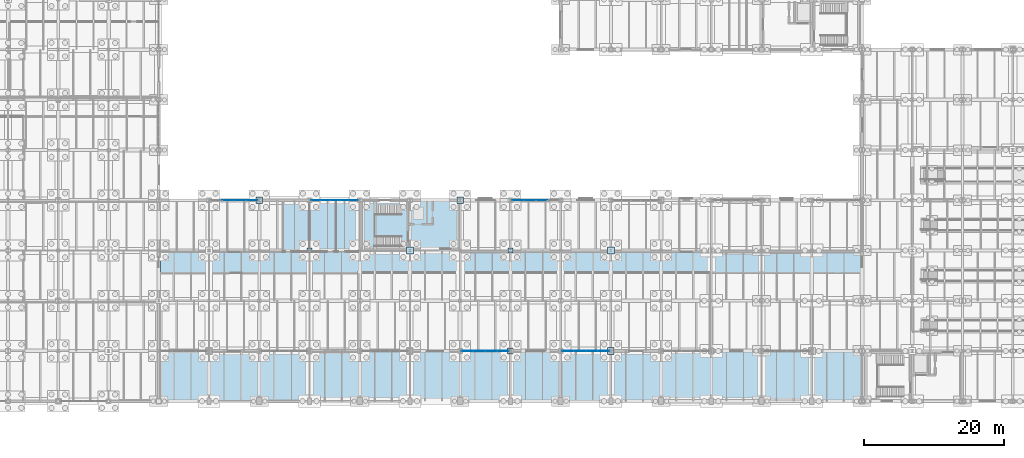
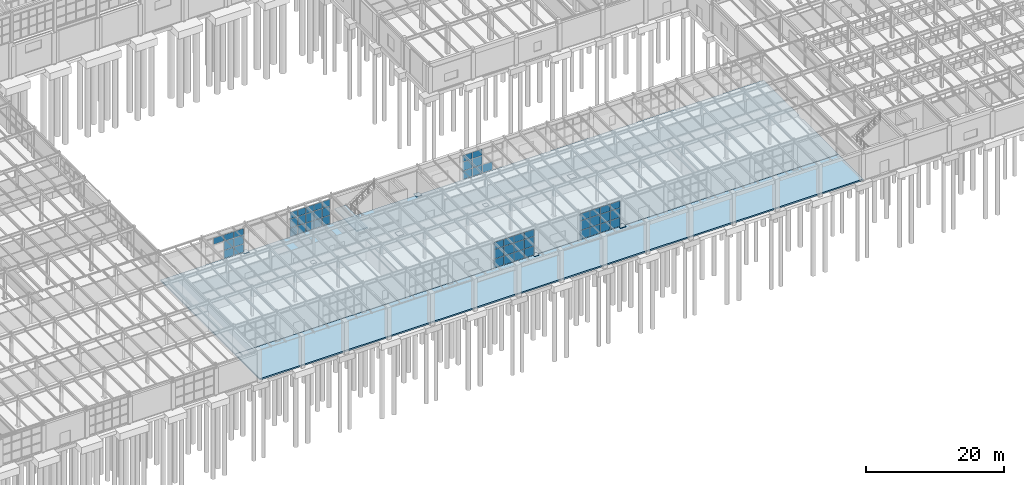
# One storey, part 235 of 293: 61 plates, 3 slabs, 6 elements without a shape of their own.
"""IFC4 building model written with IfcOpenShell, lengths in metres."""

from ifc_helpers import new_model, si_unit, direction, frame, origin, origin_2d, place, context, subcontext, project, spatial, polyline, rectangle, outline, extrude, material, layer, layer_set, type_object, element, aggregate, save


model = new_model("IFC4")

# Units and contexts
model_context = context("Model", 3, precision=1e-05, world=origin(), true_north=direction((0.0, 1.0)))
body_context = subcontext(model_context, "Body", "Model", "MODEL_VIEW")
ifc_project = project(units=[si_unit("LENGTHUNIT", "METRE"), si_unit("AREAUNIT", "SQUARE_METRE"), si_unit("VOLUMEUNIT", "CUBIC_METRE"), si_unit("PLANEANGLEUNIT", "RADIAN"), si_unit("MASSUNIT", "GRAM", prefix="KILO")], contexts=[model_context])

# Site, building, storey
site_placement = place(None, origin())
site = spatial("IfcSite", under=ifc_project, at=site_placement, CompositionType="ELEMENT")
building_placement = place(site_placement, origin())
building = spatial("IfcBuilding", under=site, at=building_placement, Name="Kemerveld Promenade Tramway Depot", CompositionType="ELEMENT")
storey_placement = place(building_placement, origin())
storey = spatial("IfcBuildingStorey", under=building, at=storey_placement, Name="L00", CompositionType="ELEMENT", Elevation=0.0)

# Curtain wall, plates
ifc_material_1 = material(Name="Bronze anodised aluminium and solar glass", Category="aluminium")
ifc_layer_1 = layer(ifc_material_1, 0.159912109375)
ifc_layer_set_1 = layer_set([ifc_layer_1], Name="CW-SYS-09")
curtain_wall_type_1 = type_object("IfcCurtainWallType", Name="CW-SYS-09", PredefinedType="USERDEFINED", material=ifc_layer_set_1)
curtain_wall_1_placement = place(storey_placement, origin())
curtain_wall_1 = element("IfcCurtainWall", 1, at=curtain_wall_1_placement, inside=storey, type_object=curtain_wall_type_1, Name="CW-L00-V4S-06", ObjectType="GLAZED_CURTAIN_WALL", PredefinedType="USERDEFINED")
ifc_material_2 = material(Name="Solar-control laminated double glazing", Category="glass")
ifc_layer_2 = layer(ifc_material_2, 0.028076171875)
ifc_layer_set_2 = layer_set([ifc_layer_2], Name="CW-PNL-01")
plate_type_1 = type_object("IfcPlateType", Name="CW-PNL-01", PredefinedType="CURTAIN_PANEL", material=ifc_layer_set_2)
plate_1_placement = place(storey_placement, frame((121.33642578125, 7.199951171875, 0.06005859375), z_axis=(0.0, 0.0, 1.0), x_axis=(-1.0, 0.0, 0.0)))
plate_1 = element("IfcPlate", 2, at=plate_1_placement, type_object=plate_type_1, Name="CW09 panel 1.1", PredefinedType="CURTAIN_PANEL", context=body_context, shape_type="SweptSolid", body=[
    extrude(rectangle(XDim=1.604248046875, YDim=0.028076171875, at=origin_2d()), origin(), (0.0, 0.0, 1.0), 1.52587890625),
])
plate_2_placement = place(storey_placement, frame((121.33642578125, 7.199951171875, 1.64599609375), z_axis=(0.0, 0.0, 1.0), x_axis=(-1.0, 0.0, 0.0)))
plate_2 = element("IfcPlate", 3, at=plate_2_placement, type_object=plate_type_1, Name="CW09 panel 1.2", PredefinedType="CURTAIN_PANEL", context=body_context, shape_type="SweptSolid", body=[
    extrude(rectangle(XDim=1.604248046875, YDim=0.028076171875, at=origin_2d()), origin(), (0.0, 0.0, 1.0), 1.64892578125),
])
plate_3_placement = place(storey_placement, frame((121.33642578125, 7.199951171875, 3.35498046875), z_axis=(0.0, 0.0, 1.0), x_axis=(-1.0, 0.0, 0.0)))
plate_3 = element("IfcPlate", 4, at=plate_3_placement, type_object=plate_type_1, Name="CW09 panel 1.3", PredefinedType="CURTAIN_PANEL", context=body_context, shape_type="SweptSolid", body=[
    extrude(rectangle(XDim=1.604248046875, YDim=0.028076171875, at=origin_2d()), origin(), (0.0, 0.0, 1.0), 1.203369140625),
])
plate_4_placement = place(storey_placement, frame((119.65087890625, 7.199951171875, 0.06005859375), z_axis=(0.0, 0.0, 1.0), x_axis=(-1.0, 0.0, 0.0)))
plate_4 = element("IfcPlate", 5, at=plate_4_placement, type_object=plate_type_1, Name="CW09 panel 2.1", PredefinedType="CURTAIN_PANEL", context=body_context, shape_type="SweptSolid", body=[
    extrude(rectangle(XDim=1.636962890625, YDim=0.028076171875, at=origin_2d()), origin(), (0.0, 0.0, 1.0), 1.52587890625),
])
plate_5_placement = place(storey_placement, frame((119.65087890625, 7.199951171875, 1.64599609375), z_axis=(0.0, 0.0, 1.0), x_axis=(-1.0, 0.0, 0.0)))
plate_5 = element("IfcPlate", 6, at=plate_5_placement, type_object=plate_type_1, Name="CW09 panel 2.2", PredefinedType="CURTAIN_PANEL", context=body_context, shape_type="SweptSolid", body=[
    extrude(rectangle(XDim=1.636962890625, YDim=0.028076171875, at=origin_2d()), origin(), (0.0, 0.0, 1.0), 1.64892578125),
])
plate_6_placement = place(storey_placement, frame((119.65087890625, 7.199951171875, 3.35498046875), z_axis=(0.0, 0.0, 1.0), x_axis=(-1.0, 0.0, 0.0)))
plate_6 = element("IfcPlate", 7, at=plate_6_placement, type_object=plate_type_1, Name="CW09 panel 2.3", PredefinedType="CURTAIN_PANEL", context=body_context, shape_type="SweptSolid", body=[
    extrude(rectangle(XDim=1.636962890625, YDim=0.028076171875, at=origin_2d()), origin(), (0.0, 0.0, 1.0), 1.203369140625),
])
plate_7_placement = place(storey_placement, frame((117.948974609375, 7.199951171875, 0.06005859375), z_axis=(0.0, 0.0, 1.0), x_axis=(-1.0, 0.0, 0.0)))
plate_7 = element("IfcPlate", 8, at=plate_7_placement, type_object=plate_type_1, Name="CW09 panel 3.1", PredefinedType="CURTAIN_PANEL", context=body_context, shape_type="SweptSolid", body=[
    extrude(rectangle(XDim=1.636962890625, YDim=0.028076171875, at=origin_2d()), origin(), (0.0, 0.0, 1.0), 1.52587890625),
])
plate_8_placement = place(storey_placement, frame((117.948974609375, 7.199951171875, 1.64599609375), z_axis=(0.0, 0.0, 1.0), x_axis=(-1.0, 0.0, 0.0)))
plate_8 = element("IfcPlate", 9, at=plate_8_placement, type_object=plate_type_1, Name="CW09 panel 3.2", PredefinedType="CURTAIN_PANEL", context=body_context, shape_type="SweptSolid", body=[
    extrude(rectangle(XDim=1.636962890625, YDim=0.028076171875, at=origin_2d()), origin(), (0.0, 0.0, 1.0), 1.64892578125),
])
plate_9_placement = place(storey_placement, frame((117.948974609375, 7.199951171875, 3.35498046875), z_axis=(0.0, 0.0, 1.0), x_axis=(-1.0, 0.0, 0.0)))
plate_9 = element("IfcPlate", 10, at=plate_9_placement, type_object=plate_type_1, Name="CW09 panel 3.3", PredefinedType="CURTAIN_PANEL", context=body_context, shape_type="SweptSolid", body=[
    extrude(rectangle(XDim=1.636962890625, YDim=0.028076171875, at=origin_2d()), origin(), (0.0, 0.0, 1.0), 1.203369140625),
])
plate_10_placement = place(storey_placement, frame((116.263427734375, 7.199951171875, 0.06005859375), z_axis=(0.0, 0.0, 1.0), x_axis=(-1.0, 0.0, 0.0)))
plate_10 = element("IfcPlate", 11, at=plate_10_placement, type_object=plate_type_1, Name="CW09 panel 4.1", PredefinedType="CURTAIN_PANEL", context=body_context, shape_type="SweptSolid", body=[
    extrude(rectangle(XDim=1.604248046875, YDim=0.028076171875, at=origin_2d()), origin(), (0.0, 0.0, 1.0), 1.52587890625),
])
plate_11_placement = place(storey_placement, frame((116.263427734375, 7.199951171875, 1.64599609375), z_axis=(0.0, 0.0, 1.0), x_axis=(-1.0, 0.0, 0.0)))
plate_11 = element("IfcPlate", 12, at=plate_11_placement, type_object=plate_type_1, Name="CW09 panel 4.2", PredefinedType="CURTAIN_PANEL", context=body_context, shape_type="SweptSolid", body=[
    extrude(rectangle(XDim=1.604248046875, YDim=0.028076171875, at=origin_2d()), origin(), (0.0, 0.0, 1.0), 1.64892578125),
])
plate_12_placement = place(storey_placement, frame((116.263427734375, 7.199951171875, 3.35498046875), z_axis=(0.0, 0.0, 1.0), x_axis=(-1.0, 0.0, 0.0)))
plate_12 = element("IfcPlate", 13, at=plate_12_placement, type_object=plate_type_1, Name="CW09 panel 4.3", PredefinedType="CURTAIN_PANEL", context=body_context, shape_type="SweptSolid", body=[
    extrude(rectangle(XDim=1.604248046875, YDim=0.028076171875, at=origin_2d()), origin(), (0.0, 0.0, 1.0), 1.203369140625),
])
aggregate(curtain_wall_1, [plate_1, plate_2, plate_3, plate_4, plate_5, plate_6, plate_7, plate_8, plate_9, plate_10, plate_11, plate_12])

ifc_layer_3 = layer(ifc_material_1, 0.159912109375)
ifc_layer_set_3 = layer_set([ifc_layer_3], Name="CW-SYS-11")
curtain_wall_type_2 = type_object("IfcCurtainWallType", Name="CW-SYS-11", PredefinedType="USERDEFINED", material=ifc_layer_set_3)
curtain_wall_2_placement = place(storey_placement, origin())
curtain_wall_2 = element("IfcCurtainWall", 14, at=curtain_wall_2_placement, inside=storey, type_object=curtain_wall_type_2, Name="CW-L00-V4S-08", ObjectType="GLAZED_CURTAIN_WALL", PredefinedType="USERDEFINED")
ifc_layer_4 = layer(ifc_material_2, 0.028076171875)
ifc_layer_set_4 = layer_set([ifc_layer_4], Name="CW-PNL-03")
plate_type_2 = type_object("IfcPlateType", Name="CW-PNL-03", PredefinedType="CURTAIN_PANEL", material=ifc_layer_set_4)
plate_13_placement = place(storey_placement, frame((106.9365234375, 7.199951171875, 0.06005859375), z_axis=(0.0, 0.0, 1.0), x_axis=(-1.0, 0.0, 0.0)))
plate_13 = element("IfcPlate", 15, at=plate_13_placement, type_object=plate_type_2, Name="CW11 panel 1.1", PredefinedType="CURTAIN_PANEL", context=body_context, shape_type="SweptSolid", body=[
    extrude(rectangle(XDim=1.604248046875, YDim=0.028076171875, at=origin_2d()), origin(), (0.0, 0.0, 1.0), 1.52587890625),
])
plate_14_placement = place(storey_placement, frame((106.9365234375, 7.199951171875, 1.64599609375), z_axis=(0.0, 0.0, 1.0), x_axis=(-1.0, 0.0, 0.0)))
plate_14 = element("IfcPlate", 16, at=plate_14_placement, type_object=plate_type_2, Name="CW11 panel 1.2", PredefinedType="CURTAIN_PANEL", context=body_context, shape_type="SweptSolid", body=[
    extrude(rectangle(XDim=1.604248046875, YDim=0.028076171875, at=origin_2d()), origin(), (0.0, 0.0, 1.0), 1.64892578125),
])
plate_15_placement = place(storey_placement, frame((106.9365234375, 7.199951171875, 3.35498046875), z_axis=(0.0, 0.0, 1.0), x_axis=(-1.0, 0.0, 0.0)))
plate_15 = element("IfcPlate", 17, at=plate_15_placement, type_object=plate_type_2, Name="CW11 panel 1.3", PredefinedType="CURTAIN_PANEL", context=body_context, shape_type="SweptSolid", body=[
    extrude(rectangle(XDim=1.604248046875, YDim=0.028076171875, at=origin_2d()), origin(), (0.0, 0.0, 1.0), 1.203369140625),
])
plate_16_placement = place(storey_placement, frame((105.2509765625, 7.199951171875, 0.06005859375), z_axis=(0.0, 0.0, 1.0), x_axis=(-1.0, 0.0, 0.0)))
plate_16 = element("IfcPlate", 18, at=plate_16_placement, type_object=plate_type_2, Name="CW11 panel 2.1", PredefinedType="CURTAIN_PANEL", context=body_context, shape_type="SweptSolid", body=[
    extrude(rectangle(XDim=1.636962890625, YDim=0.028076171875, at=origin_2d()), origin(), (0.0, 0.0, 1.0), 1.52587890625),
])
plate_17_placement = place(storey_placement, frame((105.2509765625, 7.199951171875, 1.64599609375), z_axis=(0.0, 0.0, 1.0), x_axis=(-1.0, 0.0, 0.0)))
plate_17 = element("IfcPlate", 19, at=plate_17_placement, type_object=plate_type_2, Name="CW11 panel 2.2", PredefinedType="CURTAIN_PANEL", context=body_context, shape_type="SweptSolid", body=[
    extrude(rectangle(XDim=1.636962890625, YDim=0.028076171875, at=origin_2d()), origin(), (0.0, 0.0, 1.0), 1.64892578125),
])
plate_18_placement = place(storey_placement, frame((105.2509765625, 7.199951171875, 3.35498046875), z_axis=(0.0, 0.0, 1.0), x_axis=(-1.0, 0.0, 0.0)))
plate_18 = element("IfcPlate", 20, at=plate_18_placement, type_object=plate_type_2, Name="CW11 panel 2.3", PredefinedType="CURTAIN_PANEL", context=body_context, shape_type="SweptSolid", body=[
    extrude(rectangle(XDim=1.636962890625, YDim=0.028076171875, at=origin_2d()), origin(), (0.0, 0.0, 1.0), 1.203369140625),
])
plate_19_placement = place(storey_placement, frame((103.549072265625, 7.199951171875, 0.06005859375), z_axis=(0.0, 0.0, 1.0), x_axis=(-1.0, 0.0, 0.0)))
plate_19 = element("IfcPlate", 21, at=plate_19_placement, type_object=plate_type_2, Name="CW11 panel 3.1", PredefinedType="CURTAIN_PANEL", context=body_context, shape_type="SweptSolid", body=[
    extrude(rectangle(XDim=1.636962890625, YDim=0.028076171875, at=origin_2d()), origin(), (0.0, 0.0, 1.0), 1.52587890625),
])
plate_20_placement = place(storey_placement, frame((103.549072265625, 7.199951171875, 1.64599609375), z_axis=(0.0, 0.0, 1.0), x_axis=(-1.0, 0.0, 0.0)))
plate_20 = element("IfcPlate", 22, at=plate_20_placement, type_object=plate_type_2, Name="CW11 panel 3.2", PredefinedType="CURTAIN_PANEL", context=body_context, shape_type="SweptSolid", body=[
    extrude(rectangle(XDim=1.636962890625, YDim=0.028076171875, at=origin_2d()), origin(), (0.0, 0.0, 1.0), 1.64892578125),
])
plate_21_placement = place(storey_placement, frame((103.549072265625, 7.199951171875, 3.35498046875), z_axis=(0.0, 0.0, 1.0), x_axis=(-1.0, 0.0, 0.0)))
plate_21 = element("IfcPlate", 23, at=plate_21_placement, type_object=plate_type_2, Name="CW11 panel 3.3", PredefinedType="CURTAIN_PANEL", context=body_context, shape_type="SweptSolid", body=[
    extrude(rectangle(XDim=1.636962890625, YDim=0.028076171875, at=origin_2d()), origin(), (0.0, 0.0, 1.0), 1.203369140625),
])
plate_22_placement = place(storey_placement, frame((101.863525390625, 7.199951171875, 0.06005859375), z_axis=(0.0, 0.0, 1.0), x_axis=(-1.0, 0.0, 0.0)))
plate_22 = element("IfcPlate", 24, at=plate_22_placement, type_object=plate_type_2, Name="CW11 panel 4.1", PredefinedType="CURTAIN_PANEL", context=body_context, shape_type="SweptSolid", body=[
    extrude(rectangle(XDim=1.604248046875, YDim=0.028076171875, at=origin_2d()), origin(), (0.0, 0.0, 1.0), 1.52587890625),
])
plate_23_placement = place(storey_placement, frame((101.863525390625, 7.199951171875, 1.64599609375), z_axis=(0.0, 0.0, 1.0), x_axis=(-1.0, 0.0, 0.0)))
plate_23 = element("IfcPlate", 25, at=plate_23_placement, type_object=plate_type_2, Name="CW11 panel 4.2", PredefinedType="CURTAIN_PANEL", context=body_context, shape_type="SweptSolid", body=[
    extrude(rectangle(XDim=1.604248046875, YDim=0.028076171875, at=origin_2d()), origin(), (0.0, 0.0, 1.0), 1.64892578125),
])
plate_24_placement = place(storey_placement, frame((101.863525390625, 7.199951171875, 3.35498046875), z_axis=(0.0, 0.0, 1.0), x_axis=(-1.0, 0.0, 0.0)))
plate_24 = element("IfcPlate", 26, at=plate_24_placement, type_object=plate_type_2, Name="CW11 panel 4.3", PredefinedType="CURTAIN_PANEL", context=body_context, shape_type="SweptSolid", body=[
    extrude(rectangle(XDim=1.604248046875, YDim=0.028076171875, at=origin_2d()), origin(), (0.0, 0.0, 1.0), 1.203369140625),
])
aggregate(curtain_wall_2, [plate_13, plate_14, plate_15, plate_16, plate_17, plate_18, plate_19, plate_20, plate_21, plate_22, plate_23, plate_24])

curtain_wall_3_placement = place(storey_placement, origin())
curtain_wall_3 = element("IfcCurtainWall", 27, at=curtain_wall_3_placement, inside=storey, type_object=curtain_wall_type_2, Name="CW-L00-V4N-08", ObjectType="GLAZED_CURTAIN_WALL", PredefinedType="USERDEFINED")
plate_25_placement = place(storey_placement, frame((109.0634765625, 28.800048828125, 0.06005859375), z_axis=(0.0, 0.0, 1.0), x_axis=(1.0, 0.0, 0.0)))
plate_25 = element("IfcPlate", 28, at=plate_25_placement, type_object=plate_type_2, Name="CW11 panel 1.1", PredefinedType="CURTAIN_PANEL", context=body_context, shape_type="SweptSolid", body=[
    extrude(rectangle(XDim=1.604248046875, YDim=0.028076171875, at=origin_2d()), origin(), (0.0, 0.0, 1.0), 1.43408203125),
])
plate_26_placement = place(storey_placement, frame((109.0634765625, 28.800048828125, 1.55419921875), z_axis=(0.0, 0.0, 1.0), x_axis=(1.0, 0.0, 0.0)))
plate_26 = element("IfcPlate", 29, at=plate_26_placement, type_object=plate_type_2, Name="CW11 panel 1.2", PredefinedType="CURTAIN_PANEL", context=body_context, shape_type="SweptSolid", body=[
    extrude(rectangle(XDim=1.604248046875, YDim=0.028076171875, at=origin_2d()), origin(), (0.0, 0.0, 1.0), 1.552001953125),
])
plate_27_placement = place(storey_placement, frame((109.0634765625, 28.800048828125, 3.166015625), z_axis=(0.0, 0.0, 1.0), x_axis=(1.0, 0.0, 0.0)))
plate_27 = element("IfcPlate", 30, at=plate_27_placement, type_object=plate_type_2, Name="CW11 panel 1.3", PredefinedType="CURTAIN_PANEL", context=body_context, shape_type="SweptSolid", body=[
    extrude(rectangle(XDim=1.604248046875, YDim=0.028076171875, at=origin_2d()), origin(), (0.0, 0.0, 1.0), 1.12890625),
])
plate_28_placement = place(storey_placement, frame((110.7490234375, 28.800048828125, 0.06005859375), z_axis=(0.0, 0.0, 1.0), x_axis=(1.0, 0.0, 0.0)))
plate_28 = element("IfcPlate", 31, at=plate_28_placement, type_object=plate_type_2, Name="CW11 panel 2.1", PredefinedType="CURTAIN_PANEL", context=body_context, shape_type="SweptSolid", body=[
    extrude(rectangle(XDim=1.636962890625, YDim=0.028076171875, at=origin_2d()), origin(), (0.0, 0.0, 1.0), 1.43408203125),
])
plate_29_placement = place(storey_placement, frame((110.7490234375, 28.800048828125, 1.55419921875), z_axis=(0.0, 0.0, 1.0), x_axis=(1.0, 0.0, 0.0)))
plate_29 = element("IfcPlate", 32, at=plate_29_placement, type_object=plate_type_2, Name="CW11 panel 2.2", PredefinedType="CURTAIN_PANEL", context=body_context, shape_type="SweptSolid", body=[
    extrude(rectangle(XDim=1.636962890625, YDim=0.028076171875, at=origin_2d()), origin(), (0.0, 0.0, 1.0), 1.552001953125),
])
plate_30_placement = place(storey_placement, frame((110.7490234375, 28.800048828125, 3.166015625), z_axis=(0.0, 0.0, 1.0), x_axis=(1.0, 0.0, 0.0)))
plate_30 = element("IfcPlate", 33, at=plate_30_placement, type_object=plate_type_2, Name="CW11 panel 2.3", PredefinedType="CURTAIN_PANEL", context=body_context, shape_type="SweptSolid", body=[
    extrude(rectangle(XDim=1.636962890625, YDim=0.028076171875, at=origin_2d()), origin(), (0.0, 0.0, 1.0), 1.12890625),
])
plate_31_placement = place(storey_placement, frame((112.450927734375, 28.800048828125, 0.06005859375), z_axis=(0.0, 0.0, 1.0), x_axis=(1.0, 0.0, 0.0)))
plate_31 = element("IfcPlate", 34, at=plate_31_placement, type_object=plate_type_2, Name="CW11 panel 3.1", PredefinedType="CURTAIN_PANEL", context=body_context, shape_type="SweptSolid", body=[
    extrude(rectangle(XDim=1.636962890625, YDim=0.028076171875, at=origin_2d()), origin(), (0.0, 0.0, 1.0), 1.43408203125),
])
aggregate(curtain_wall_3, [plate_25, plate_26, plate_27, plate_28, plate_29, plate_30, plate_31])

ifc_layer_5 = layer(ifc_material_1, 0.159912109375)
ifc_layer_set_5 = layer_set([ifc_layer_5], Name="CW-SYS-05")
curtain_wall_type_3 = type_object("IfcCurtainWallType", Name="CW-SYS-05", PredefinedType="USERDEFINED", material=ifc_layer_set_5)
curtain_wall_4_placement = place(storey_placement, origin())
curtain_wall_4 = element("IfcCurtainWall", 35, at=curtain_wall_4_placement, inside=storey, type_object=curtain_wall_type_3, Name="CW-L00-V4N-02", ObjectType="GLAZED_CURTAIN_WALL", PredefinedType="USERDEFINED")
ifc_layer_6 = layer(ifc_material_2, 0.031982421875)
ifc_layer_set_6 = layer_set([ifc_layer_6], Name="CW-PNL-05")
plate_type_3 = type_object("IfcPlateType", Name="CW-PNL-05", PredefinedType="CURTAIN_PANEL", material=ifc_layer_set_6)
plate_32_placement = place(storey_placement, frame((67.549072265625, 28.800048828125, 3.12890625), z_axis=(0.0, 0.0, 1.0), x_axis=(1.0, 0.0, 0.0)))
plate_32 = element("IfcPlate", 36, at=plate_32_placement, type_object=plate_type_3, Name="CW05 panel 2.3", PredefinedType="CURTAIN_PANEL", context=body_context, shape_type="SweptSolid", body=[
    extrude(rectangle(XDim=1.636962890625, YDim=0.031982421875, at=origin_2d()), origin(), (0.0, 0.0, 1.0), 1.115234375),
])
plate_33_placement = place(storey_placement, frame((69.2509765625, 28.800048828125, 0.06005859375), z_axis=(0.0, 0.0, 1.0), x_axis=(1.0, 0.0, 0.0)))
plate_33 = element("IfcPlate", 37, at=plate_33_placement, type_object=plate_type_3, Name="CW05 panel 3.1", PredefinedType="CURTAIN_PANEL", context=body_context, shape_type="SweptSolid", body=[
    extrude(rectangle(XDim=1.636962890625, YDim=0.031982421875, at=origin_2d()), origin(), (0.0, 0.0, 1.0), 1.416015625),
])
plate_34_placement = place(storey_placement, frame((69.2509765625, 28.800048828125, 1.5361328125), z_axis=(0.0, 0.0, 1.0), x_axis=(1.0, 0.0, 0.0)))
plate_34 = element("IfcPlate", 38, at=plate_34_placement, type_object=plate_type_3, Name="CW05 panel 3.2", PredefinedType="CURTAIN_PANEL", context=body_context, shape_type="SweptSolid", body=[
    extrude(rectangle(XDim=1.636962890625, YDim=0.031982421875, at=origin_2d()), origin(), (0.0, 0.0, 1.0), 1.532958984375),
])
plate_35_placement = place(storey_placement, frame((69.2509765625, 28.800048828125, 3.12890625), z_axis=(0.0, 0.0, 1.0), x_axis=(1.0, 0.0, 0.0)))
plate_35 = element("IfcPlate", 39, at=plate_35_placement, type_object=plate_type_3, Name="CW05 panel 3.3", PredefinedType="CURTAIN_PANEL", context=body_context, shape_type="SweptSolid", body=[
    extrude(rectangle(XDim=1.636962890625, YDim=0.031982421875, at=origin_2d()), origin(), (0.0, 0.0, 1.0), 1.115234375),
])
plate_36_placement = place(storey_placement, frame((70.9365234375, 28.800048828125, 0.06005859375), z_axis=(0.0, 0.0, 1.0), x_axis=(1.0, 0.0, 0.0)))
plate_36 = element("IfcPlate", 40, at=plate_36_placement, type_object=plate_type_3, Name="CW05 panel 4.1", PredefinedType="CURTAIN_PANEL", context=body_context, shape_type="SweptSolid", body=[
    extrude(rectangle(XDim=1.604248046875, YDim=0.031982421875, at=origin_2d()), origin(), (0.0, 0.0, 1.0), 1.416015625),
])
plate_37_placement = place(storey_placement, frame((70.9365234375, 28.800048828125, 1.5361328125), z_axis=(0.0, 0.0, 1.0), x_axis=(1.0, 0.0, 0.0)))
plate_37 = element("IfcPlate", 41, at=plate_37_placement, type_object=plate_type_3, Name="CW05 panel 4.2", PredefinedType="CURTAIN_PANEL", context=body_context, shape_type="SweptSolid", body=[
    extrude(rectangle(XDim=1.604248046875, YDim=0.031982421875, at=origin_2d()), origin(), (0.0, 0.0, 1.0), 1.532958984375),
])
plate_38_placement = place(storey_placement, frame((70.9365234375, 28.800048828125, 3.12890625), z_axis=(0.0, 0.0, 1.0), x_axis=(1.0, 0.0, 0.0)))
plate_38 = element("IfcPlate", 42, at=plate_38_placement, type_object=plate_type_3, Name="CW05 panel 4.3", PredefinedType="CURTAIN_PANEL", context=body_context, shape_type="SweptSolid", body=[
    extrude(rectangle(XDim=1.604248046875, YDim=0.031982421875, at=origin_2d()), origin(), (0.0, 0.0, 1.0), 1.115234375),
])
aggregate(curtain_wall_4, [plate_32, plate_33, plate_34, plate_35, plate_36, plate_37, plate_38])

ifc_layer_7 = layer(ifc_material_1, 0.159912109375)
ifc_layer_set_7 = layer_set([ifc_layer_7], Name="CW-SYS-07")
curtain_wall_type_4 = type_object("IfcCurtainWallType", Name="CW-SYS-07", PredefinedType="USERDEFINED", material=ifc_layer_set_7)
curtain_wall_5_placement = place(storey_placement, origin())
curtain_wall_5 = element("IfcCurtainWall", 43, at=curtain_wall_5_placement, inside=storey, type_object=curtain_wall_type_4, Name="CW-L00-V4N-04", ObjectType="GLAZED_CURTAIN_WALL", PredefinedType="USERDEFINED")
ifc_layer_8 = layer(ifc_material_2, 0.030029296875)
ifc_layer_set_8 = layer_set([ifc_layer_8], Name="CW-PNL-07")
plate_type_4 = type_object("IfcPlateType", Name="CW-PNL-07", PredefinedType="CURTAIN_PANEL", material=ifc_layer_set_8)
plate_39_placement = place(storey_placement, frame((80.09326171875, 28.800048828125, 0.06005859375), z_axis=(0.0, 0.0, 1.0), x_axis=(1.0, 0.0, 0.0)))
plate_39 = element("IfcPlate", 44, at=plate_39_placement, type_object=plate_type_4, Name="CW07 panel 1.1", PredefinedType="CURTAIN_PANEL", context=body_context, shape_type="SweptSolid", body=[
    extrude(rectangle(XDim=1.263916015625, YDim=0.030029296875, at=origin_2d()), origin(), (0.0, 0.0, 1.0), 1.447021484375),
])
plate_40_placement = place(storey_placement, frame((80.09326171875, 28.800048828125, 1.567138671875), z_axis=(0.0, 0.0, 1.0), x_axis=(1.0, 0.0, 0.0)))
plate_40 = element("IfcPlate", 45, at=plate_40_placement, type_object=plate_type_4, Name="CW07 panel 1.2", PredefinedType="CURTAIN_PANEL", context=body_context, shape_type="SweptSolid", body=[
    extrude(rectangle(XDim=1.263916015625, YDim=0.030029296875, at=origin_2d()), origin(), (0.0, 0.0, 1.0), 1.56591796875),
])
plate_41_placement = place(storey_placement, frame((80.09326171875, 28.800048828125, 3.19287109375), z_axis=(0.0, 0.0, 1.0), x_axis=(1.0, 0.0, 0.0)))
plate_41 = element("IfcPlate", 46, at=plate_41_placement, type_object=plate_type_4, Name="CW07 panel 1.3", PredefinedType="CURTAIN_PANEL", context=body_context, shape_type="SweptSolid", body=[
    extrude(rectangle(XDim=1.263916015625, YDim=0.030029296875, at=origin_2d()), origin(), (0.0, 0.0, 1.0), 1.139892578125),
])
plate_42_placement = place(storey_placement, frame((81.4384765625, 28.800048828125, 0.06005859375), z_axis=(0.0, 0.0, 1.0), x_axis=(1.0, 0.0, 0.0)))
plate_42 = element("IfcPlate", 47, at=plate_42_placement, type_object=plate_type_4, Name="CW07 panel 2.1", PredefinedType="CURTAIN_PANEL", context=body_context, shape_type="SweptSolid", body=[
    extrude(rectangle(XDim=1.29638671875, YDim=0.030029296875, at=origin_2d()), origin(), (0.0, 0.0, 1.0), 1.447021484375),
])
plate_43_placement = place(storey_placement, frame((81.4384765625, 28.800048828125, 1.567138671875), z_axis=(0.0, 0.0, 1.0), x_axis=(1.0, 0.0, 0.0)))
plate_43 = element("IfcPlate", 48, at=plate_43_placement, type_object=plate_type_4, Name="CW07 panel 2.2", PredefinedType="CURTAIN_PANEL", context=body_context, shape_type="SweptSolid", body=[
    extrude(rectangle(XDim=1.29638671875, YDim=0.030029296875, at=origin_2d()), origin(), (0.0, 0.0, 1.0), 1.56591796875),
])
plate_44_placement = place(storey_placement, frame((81.4384765625, 28.800048828125, 3.19287109375), z_axis=(0.0, 0.0, 1.0), x_axis=(1.0, 0.0, 0.0)))
plate_44 = element("IfcPlate", 49, at=plate_44_placement, type_object=plate_type_4, Name="CW07 panel 2.3", PredefinedType="CURTAIN_PANEL", context=body_context, shape_type="SweptSolid", body=[
    extrude(rectangle(XDim=1.29638671875, YDim=0.030029296875, at=origin_2d()), origin(), (0.0, 0.0, 1.0), 1.139892578125),
])
plate_45_placement = place(storey_placement, frame((82.800048828125, 28.800048828125, 0.06005859375), z_axis=(0.0, 0.0, 1.0), x_axis=(1.0, 0.0, 0.0)))
plate_45 = element("IfcPlate", 50, at=plate_45_placement, type_object=plate_type_4, Name="CW07 panel 3.1", PredefinedType="CURTAIN_PANEL", context=body_context, shape_type="SweptSolid", body=[
    extrude(rectangle(XDim=1.29638671875, YDim=0.030029296875, at=origin_2d()), origin(), (0.0, 0.0, 1.0), 1.447021484375),
])
plate_46_placement = place(storey_placement, frame((82.800048828125, 28.800048828125, 1.567138671875), z_axis=(0.0, 0.0, 1.0), x_axis=(1.0, 0.0, 0.0)))
plate_46 = element("IfcPlate", 51, at=plate_46_placement, type_object=plate_type_4, Name="CW07 panel 3.2", PredefinedType="CURTAIN_PANEL", context=body_context, shape_type="SweptSolid", body=[
    extrude(rectangle(XDim=1.29638671875, YDim=0.030029296875, at=origin_2d()), origin(), (0.0, 0.0, 1.0), 1.56591796875),
])
plate_47_placement = place(storey_placement, frame((82.800048828125, 28.800048828125, 3.19287109375), z_axis=(0.0, 0.0, 1.0), x_axis=(1.0, 0.0, 0.0)))
plate_47 = element("IfcPlate", 52, at=plate_47_placement, type_object=plate_type_4, Name="CW07 panel 3.3", PredefinedType="CURTAIN_PANEL", context=body_context, shape_type="SweptSolid", body=[
    extrude(rectangle(XDim=1.29638671875, YDim=0.030029296875, at=origin_2d()), origin(), (0.0, 0.0, 1.0), 1.139892578125),
])
plate_48_placement = place(storey_placement, frame((84.161376953125, 28.800048828125, 0.06005859375), z_axis=(0.0, 0.0, 1.0), x_axis=(1.0, 0.0, 0.0)))
plate_48 = element("IfcPlate", 53, at=plate_48_placement, type_object=plate_type_4, Name="CW07 panel 4.1", PredefinedType="CURTAIN_PANEL", context=body_context, shape_type="SweptSolid", body=[
    extrude(rectangle(XDim=1.29638671875, YDim=0.030029296875, at=origin_2d()), origin(), (0.0, 0.0, 1.0), 1.447021484375),
])
plate_49_placement = place(storey_placement, frame((84.161376953125, 28.800048828125, 1.567138671875), z_axis=(0.0, 0.0, 1.0), x_axis=(1.0, 0.0, 0.0)))
plate_49 = element("IfcPlate", 54, at=plate_49_placement, type_object=plate_type_4, Name="CW07 panel 4.2", PredefinedType="CURTAIN_PANEL", context=body_context, shape_type="SweptSolid", body=[
    extrude(rectangle(XDim=1.29638671875, YDim=0.030029296875, at=origin_2d()), origin(), (0.0, 0.0, 1.0), 1.56591796875),
])
plate_50_placement = place(storey_placement, frame((84.161376953125, 28.800048828125, 3.19287109375), z_axis=(0.0, 0.0, 1.0), x_axis=(1.0, 0.0, 0.0)))
plate_50 = element("IfcPlate", 55, at=plate_50_placement, type_object=plate_type_4, Name="CW07 panel 4.3", PredefinedType="CURTAIN_PANEL", context=body_context, shape_type="SweptSolid", body=[
    extrude(rectangle(XDim=1.29638671875, YDim=0.030029296875, at=origin_2d()), origin(), (0.0, 0.0, 1.0), 1.139892578125),
])
plate_51_placement = place(storey_placement, frame((85.506591796875, 28.800048828125, 0.06005859375), z_axis=(0.0, 0.0, 1.0), x_axis=(1.0, 0.0, 0.0)))
plate_51 = element("IfcPlate", 56, at=plate_51_placement, type_object=plate_type_4, Name="CW07 panel 5.1", PredefinedType="CURTAIN_PANEL", context=body_context, shape_type="SweptSolid", body=[
    extrude(rectangle(XDim=1.263916015625, YDim=0.030029296875, at=origin_2d()), origin(), (0.0, 0.0, 1.0), 1.447021484375),
])
plate_52_placement = place(storey_placement, frame((85.506591796875, 28.800048828125, 1.567138671875), z_axis=(0.0, 0.0, 1.0), x_axis=(1.0, 0.0, 0.0)))
plate_52 = element("IfcPlate", 57, at=plate_52_placement, type_object=plate_type_4, Name="CW07 panel 5.2", PredefinedType="CURTAIN_PANEL", context=body_context, shape_type="SweptSolid", body=[
    extrude(rectangle(XDim=1.263916015625, YDim=0.030029296875, at=origin_2d()), origin(), (0.0, 0.0, 1.0), 1.56591796875),
])
plate_53_placement = place(storey_placement, frame((85.506591796875, 28.800048828125, 3.19287109375), z_axis=(0.0, 0.0, 1.0), x_axis=(1.0, 0.0, 0.0)))
plate_53 = element("IfcPlate", 58, at=plate_53_placement, type_object=plate_type_4, Name="CW07 panel 5.3", PredefinedType="CURTAIN_PANEL", context=body_context, shape_type="SweptSolid", body=[
    extrude(rectangle(XDim=1.263916015625, YDim=0.030029296875, at=origin_2d()), origin(), (0.0, 0.0, 1.0), 1.139892578125),
])
aggregate(curtain_wall_5, [plate_39, plate_40, plate_41, plate_42, plate_43, plate_44, plate_45, plate_46, plate_47, plate_48, plate_49, plate_50, plate_51, plate_52, plate_53])

# Plates
ifc_material_3 = material(Name="Steel S355", Category="steel")
ifc_layer_9 = layer(ifc_material_3, 0.044921875)
ifc_layer_set_9 = layer_set([ifc_layer_9], Name="PL-BP01")
plate_type_5 = type_object("IfcPlateType", Name="PL-BP01", PredefinedType="USERDEFINED", material=ifc_layer_set_9)
for number, where, z_axis, x_axis, name in (
    (59, (72.0, 28.800048828125, 0.0), (0.0, 0.0, 1.0), (1.0, 0.0, 0.0), "BP-11-E"),
    (60, (100.800048828125, 28.800048828125, 0.0), (0.0, 0.0, 1.0), (1.0, 0.0, 0.0), "BP-15-E"),
):
    element("IfcPlate", number, at=place(storey_placement, frame(where, z_axis=z_axis, x_axis=x_axis)), inside=storey, type_object=plate_type_5, Name=name, ObjectType="BASE_PLATE", PredefinedType="USERDEFINED", context=body_context, shape_type="SweptSolid", body=[
        extrude(rectangle(XDim=0.89990234375, YDim=0.89990234375, at=origin_2d()), origin(), (0.0, 0.0, 1.0), 0.044921875),
    ])
ifc_layer_10 = layer(ifc_material_3, 0.0400390625)
ifc_layer_set_10 = layer_set([ifc_layer_10], Name="PL-BP03")
plate_type_6 = type_object("IfcPlateType", Name="PL-BP03", PredefinedType="USERDEFINED", material=ifc_layer_set_10)
plate_54_placement = place(storey_placement, frame((108.0, 7.199951171875, 0.0), z_axis=(0.0, 0.0, 1.0), x_axis=(1.0, 0.0, 0.0)))
element("IfcPlate", 61, at=plate_54_placement, inside=storey, type_object=plate_type_6, Name="BP-16-B", ObjectType="BASE_PLATE", PredefinedType="USERDEFINED", context=body_context, shape_type="SweptSolid", body=[
    extrude(rectangle(XDim=0.800048828125, YDim=0.800048828125, at=origin_2d()), origin(), (0.0, 0.0, 1.0), 0.0400390625),
])
ifc_layer_11 = layer(ifc_material_3, 0.034912109375)
ifc_layer_set_11 = layer_set([ifc_layer_11], Name="PL-BP04")
plate_type_7 = type_object("IfcPlateType", Name="PL-BP04", PredefinedType="USERDEFINED", material=ifc_layer_set_11)
for number, where, z_axis, x_axis, name in (
    (62, (79.199951171875, 21.60009765625, 0.0), (0.0, 0.0, 1.0), (1.0, 0.0, 0.0), "BP-12-D"),
    (63, (108.0, 21.60009765625, 0.0), (0.0, 0.0, 1.0), (1.0, 0.0, 0.0), "BP-16-D"),
):
    element("IfcPlate", number, at=place(storey_placement, frame(where, z_axis=z_axis, x_axis=x_axis)), inside=storey, type_object=plate_type_7, Name=name, ObjectType="BASE_PLATE", PredefinedType="USERDEFINED", context=body_context, shape_type="SweptSolid", body=[
        extrude(rectangle(XDim=0.75, YDim=0.75, at=origin_2d()), origin(), (0.0, 0.0, 1.0), 0.034912109375),
    ])
ifc_layer_12 = layer(ifc_material_3, 0.050048828125)
ifc_layer_set_12 = layer_set([ifc_layer_12], Name="PL-BP09")
plate_type_8 = type_object("IfcPlateType", Name="PL-BP09", PredefinedType="USERDEFINED", material=ifc_layer_set_12)
plate_55_placement = place(storey_placement, frame((122.39990234375, 7.199951171875, 0.0), z_axis=(0.0, 0.0, 1.0), x_axis=(1.0, 0.0, 0.0)))
element("IfcPlate", 64, at=plate_55_placement, inside=storey, type_object=plate_type_8, Name="BP-18-B", ObjectType="BASE_PLATE", PredefinedType="USERDEFINED", context=body_context, shape_type="SweptSolid", body=[
    extrude(rectangle(XDim=0.949951171875, YDim=0.949951171875, at=origin_2d()), origin(), (0.0, 0.0, 1.0), 0.050048828125),
])
ifc_layer_13 = layer(ifc_material_3, 0.050048828125)
ifc_layer_set_13 = layer_set([ifc_layer_13], Name="PL-BP10")
plate_type_9 = type_object("IfcPlateType", Name="PL-BP10", PredefinedType="USERDEFINED", material=ifc_layer_set_13)
for number, where, z_axis, x_axis, name in (
    (65, (93.60009765625, 21.60009765625, 0.0), (0.0, 0.0, 1.0), (1.0, 0.0, 0.0), "BP-14-D"),
    (66, (122.39990234375, 21.60009765625, 0.0), (0.0, 0.0, 1.0), (1.0, 0.0, 0.0), "BP-18-D"),
):
    element("IfcPlate", number, at=place(storey_placement, frame(where, z_axis=z_axis, x_axis=x_axis)), inside=storey, type_object=plate_type_9, Name=name, ObjectType="BASE_PLATE", PredefinedType="USERDEFINED", context=body_context, shape_type="SweptSolid", body=[
        extrude(rectangle(XDim=1.0, YDim=1.0, at=origin_2d()), origin(), (0.0, 0.0, 1.0), 0.050048828125),
    ])

# Slabs
ifc_material_4 = material(Name="Concrete C35/45", Category="concrete")
ifc_layer_14 = layer(ifc_material_4, 0.300048828125)
ifc_layer_set_14 = layer_set([ifc_layer_14], Name="SL-BS02")
slab_type_1 = type_object("IfcSlabType", Name="SL-BS02", PredefinedType="BASESLAB", material=ifc_layer_set_14)
slab_1_placement = place(storey_placement, frame((0.0, 0.0, -0.300048828125)))
element("IfcSlab", 67, at=slab_1_placement, inside=storey, type_object=slab_type_1, Name="SLB-L00-V4", PredefinedType="BASESLAB", context=body_context, shape_type="SweptSolid", body=[
    extrude(outline(polyline([(57.860107421875, 7.199951171875), (158.60009765625, 7.199951171875), (158.60009765625, 17.39990234375), (158.4599609375, 17.39990234375), (158.4599609375, 18.60009765625), (158.60009765625, 18.60009765625), (158.60009765625, 28.800048828125), (57.860107421875, 28.800048828125), (57.860107421875, 7.199951171875)])), origin(), (0.0, 0.0, 1.0), 0.300048828125),
])
ifc_layer_15 = layer(ifc_material_4, 0.25)
ifc_layer_set_15 = layer_set([ifc_layer_15], Name="SL-BS04")
slab_type_2 = type_object("IfcSlabType", Name="SL-BS04", PredefinedType="BASESLAB", material=ifc_layer_set_15)
slab_2_placement = place(storey_placement, frame((0.0, 0.0, -0.25)))
element("IfcSlab", 68, at=slab_2_placement, inside=storey, type_object=slab_type_2, Name="SLB-L00-COL", PredefinedType="BASESLAB", context=body_context, shape_type="SweptSolid", body=[
    extrude(outline(polyline([(57.860107421875, 0.0), (158.60009765625, 0.0), (158.60009765625, 7.199951171875), (57.860107421875, 7.199951171875), (57.860107421875, 0.0)])), origin(), (0.0, 0.0, 1.0), 0.25),
])

# Stair, slab
ifc_material_5 = material(Name="Concrete C40/50", Category="concrete")
stair_type = type_object("IfcStairType", Name="STR-HT-L00", PredefinedType="HALF_TURN_STAIR", material=ifc_material_5)
stair_placement = place(storey_placement, origin())
stair = element("IfcStair", 69, at=stair_placement, inside=storey, type_object=stair_type, Name="ST-04-L00", PredefinedType="HALF_TURN_STAIR")
ifc_layer_16 = layer(ifc_material_5, 0.199951171875)
ifc_layer_set_16 = layer_set([ifc_layer_16], Name="SL-LND-200")
slab_type_3 = type_object("IfcSlabType", Name="SL-LND-200", PredefinedType="LANDING", material=ifc_layer_set_16)
slab_3_placement = place(storey_placement, frame((0.0, 0.0, 2.5)))
slab_3 = element("IfcSlab", 70, at=slab_3_placement, type_object=slab_type_3, Name="ST-04-L00 landing 1", PredefinedType="LANDING", context=body_context, shape_type="SweptSolid", body=[
    extrude(outline(polyline([(86.679931640625, 21.9599609375), (88.56005859375, 21.9599609375), (88.56005859375, 28.43994140625), (86.679931640625, 28.43994140625), (86.679931640625, 21.9599609375)])), origin(), (0.0, 0.0, 1.0), 0.199951171875),
])
aggregate(stair, [slab_3])

save(model, "model.ifc")
